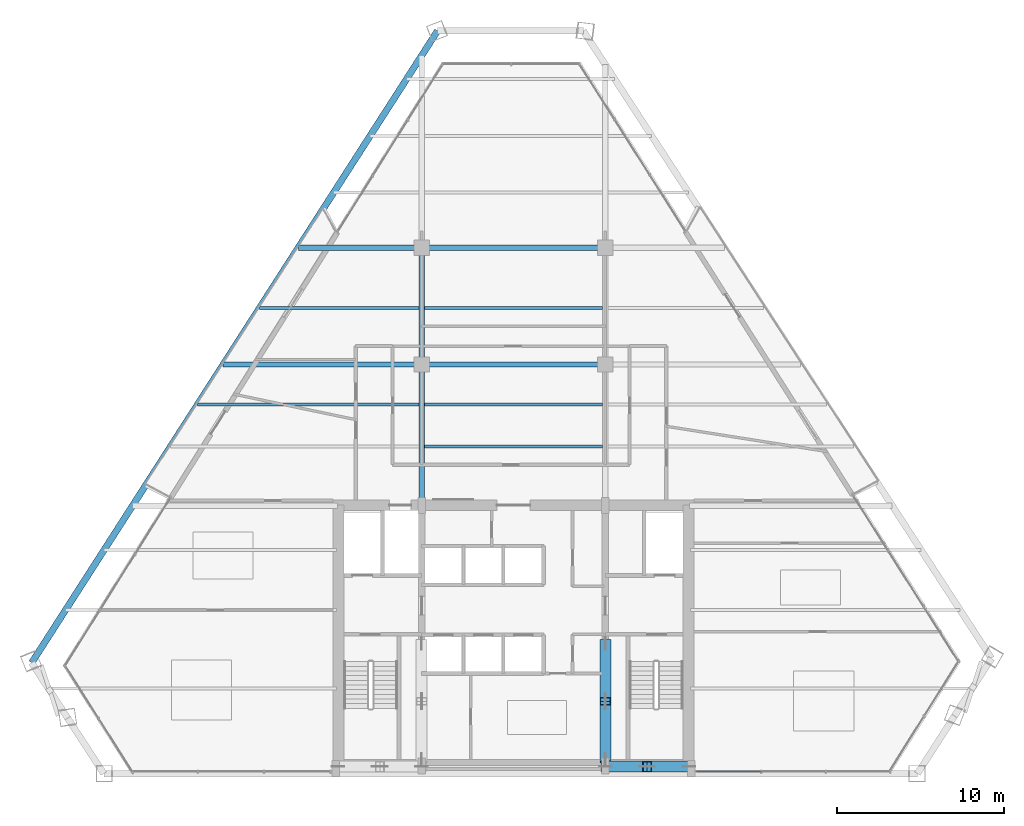
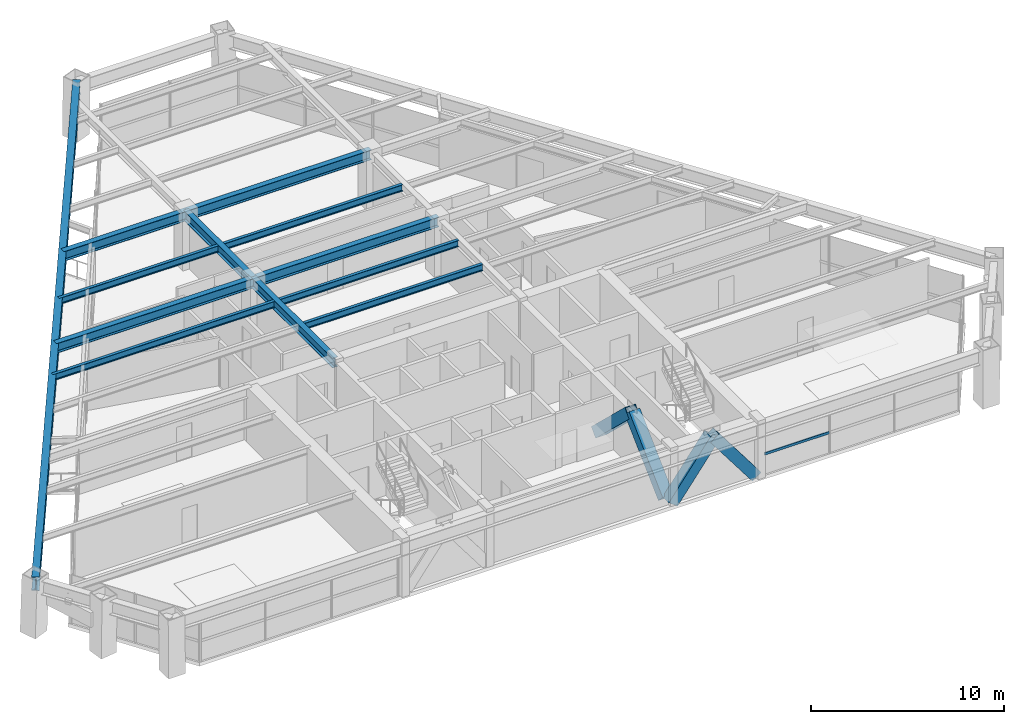
# One storey, part 5 of 15: 12 beams, 5 members, 1 element without a shape of its own.
"""IFC4 building model written with IfcOpenShell, lengths in metres."""

from ifc_helpers import new_model, si_unit, direction, frame, origin, origin_2d, place, context, subcontext, project, spatial, rectangle, hollow_rectangle, i_section, extrude, source, transform, mapped, material, material_profile, profile_set, type_object, type_shapes, element, aggregate, save


model = new_model("IFC4")

# Units and contexts
model_context = context("Model", 3, precision=1e-05, world=origin(), true_north=direction((0.0, 1.0)))
body_context = subcontext(model_context, "Body", "Model", "MODEL_VIEW")
ifc_project = project(units=[si_unit("LENGTHUNIT", "METRE"), si_unit("AREAUNIT", "SQUARE_METRE"), si_unit("VOLUMEUNIT", "CUBIC_METRE"), si_unit("PLANEANGLEUNIT", "RADIAN"), si_unit("MASSUNIT", "GRAM", prefix="KILO")], contexts=[model_context])

# Site, building, storey
site_placement = place(None, origin())
site = spatial("IfcSite", under=ifc_project, at=site_placement, CompositionType="ELEMENT")
building_placement = place(site_placement, origin())
building = spatial("IfcBuilding", under=site, at=building_placement, Name="Varnakhor Terracotta Tower", CompositionType="ELEMENT")
storey_placement = place(building_placement, frame((0.0, 0.0, 174.699951171875)))
storey = spatial("IfcBuildingStorey", under=building, at=storey_placement, Name="L44", CompositionType="ELEMENT", Elevation=174.699951171875)

# Beams
ifc_material_1 = material(Name="Steel S355", Category="steel")
ifc_material_profile_1 = material_profile(ifc_material_1, i_section(OverallWidth=0.324951171875, OverallDepth=0.615966796875, WebThickness=0.013916015625, FlangeThickness=0.02197265625, FilletRadius=0.01806640625, at=origin_2d()), Name="W24X117")
ifc_profile_set_1 = profile_set([ifc_material_profile_1], Name="Steel S355")
beam_type_1 = type_object("IfcBeamType", Name="BM-W24X117", PredefinedType="BEAM", material=ifc_profile_set_1)
shared_shape_1 = source(origin(), body_context, "Body", "SweptSolid", [
    extrude(i_section(OverallWidth=0.324951171875, OverallDepth=0.615966796875, WebThickness=0.013916015625, FlangeThickness=0.02197265625, FilletRadius=0.01806640625, at=origin_2d()), origin(), (0.0, 0.0, 1.0), 8.449951171875),
])
type_shapes(beam_type_1, [shared_shape_1])
beam_1_placement = place(storey_placement, frame((-5.5, 16.050048828125, 3.162109375), z_axis=(0.0, 1.0, 0.0), x_axis=(-1.0, 0.0, 0.0)))
element("IfcBeam", 1, at=beam_1_placement, inside=storey, type_object=beam_type_1, Name="L44 Primary Girder NS1-W", PredefinedType="BEAM", context=body_context, shape_type="MappedRepresentation", body=[
    mapped(shared_shape_1, transform((0.0, 0.0, 0.0), scale=1.0)),
])
shared_shape_2 = source(origin(), body_context, "Body", "SweptSolid", [
    extrude(i_section(OverallWidth=0.324951171875, OverallDepth=0.615966796875, WebThickness=0.013916015625, FlangeThickness=0.02197265625, FilletRadius=0.01806640625, at=origin_2d()), origin(), (0.0, 0.0, 1.0), 7.0),
])
beam_2_placement = place(storey_placement, frame((-5.5, 24.5, 3.162109375), z_axis=(0.0, 1.0, 0.0), x_axis=(-1.0, 0.0, 0.0)))
element("IfcBeam", 2, at=beam_2_placement, inside=storey, type_object=beam_type_1, Name="L44 Primary Girder NS2-W", PredefinedType="BEAM", context=body_context, shape_type="MappedRepresentation", body=[
    mapped(shared_shape_2, transform((0.0, 0.0, 0.0), scale=1.0)),
])
shared_shape_3 = source(origin(), body_context, "Body", "SweptSolid", [
    extrude(i_section(OverallWidth=0.324951171875, OverallDepth=0.615966796875, WebThickness=0.013916015625, FlangeThickness=0.02197265625, FilletRadius=0.01806640625, at=origin_2d()), origin(), (0.0, 0.0, 1.0), 11.0),
])
for number, where, z_axis, x_axis, name in (
    (3, (-5.5, 24.5, 3.162109375), (1.0, 0.0, 0.0), (0.0, 1.0, 0.0), "L44 Primary Girder EW2-2"),
    (4, (-5.5, 31.5, 3.162109375), (1.0, 0.0, 0.0), (0.0, 1.0, 0.0), "L44 Primary Girder EW3-2"),
):
    element("IfcBeam", number, at=place(storey_placement, frame(where, z_axis=z_axis, x_axis=x_axis)), inside=storey, type_object=beam_type_1, Name=name, PredefinedType="BEAM", context=body_context, shape_type="MappedRepresentation", body=[
        mapped(shared_shape_3, transform((0.0, 0.0, 0.0), scale=1.0)),
    ])
ifc_material_profile_2 = material_profile(ifc_material_1, i_section(OverallWidth=0.179931640625, OverallDepth=0.4130859375, WebThickness=0.009765625, FlangeThickness=0.01611328125, FilletRadius=0.01806640625, at=origin_2d()), Name="W16X50")
ifc_profile_set_2 = profile_set([ifc_material_profile_2], Name="Steel S355")
beam_type_2 = type_object("IfcBeamType", Name="JST-W16X50", PredefinedType="JOIST", material=ifc_profile_set_2)
shared_shape_4 = source(origin(), body_context, "Body", "SweptSolid", [
    extrude(i_section(OverallWidth=0.179931640625, OverallDepth=0.4130859375, WebThickness=0.009765625, FlangeThickness=0.01611328125, FilletRadius=0.01806640625, at=origin_2d()), origin(), (0.0, 0.0, 1.0), 10.68310546875),
])
for number, where, z_axis, x_axis, name in (
    (5, (-5.341552734375, 19.60009765625, 3.263427734375), (1.0, 0.0, 0.0), (0.0, 1.0, 0.0), "L44 Composite Floor Joist 4-2"),
    (6, (-5.341552734375, 22.10009765625, 3.263427734375), (1.0, 0.0, 0.0), (0.0, 1.0, 0.0), "L44 Composite Floor Joist 5-2"),
    (7, (-5.341552734375, 27.89990234375, 3.263427734375), (1.0, 0.0, 0.0), (0.0, 1.0, 0.0), "L44 Composite Floor Joist 6-2"),
):
    element("IfcBeam", number, at=place(storey_placement, frame(where, z_axis=z_axis, x_axis=x_axis)), inside=storey, type_object=beam_type_2, Name=name, PredefinedType="JOIST", context=body_context, shape_type="MappedRepresentation", body=[
        mapped(shared_shape_4, transform((0.0, 0.0, 0.0), scale=1.0)),
    ])

# Members
ifc_material_2 = material(Name="Steel S460", Category="steel")
ifc_material_profile_3 = material_profile(ifc_material_2, hollow_rectangle(XDim=0.64990234375, YDim=0.64990234375, WallThickness=0.0400390625, at=origin_2d()), Name="HSS650X650X40")
ifc_profile_set_3 = profile_set([ifc_material_profile_3], Name="Steel S460")
member_type_1 = type_object("IfcMemberType", Name="MBR-MEGA-650", PredefinedType="BRACE", material=ifc_profile_set_3)
shared_shape_5 = source(origin(), body_context, "Body", "SweptSolid", [
    extrude(hollow_rectangle(XDim=0.64990234375, YDim=0.64990234375, WallThickness=0.0400390625, at=origin_2d()), origin(), (0.0, 0.0, 1.0), 4.805908203125),
])
member_1_placement = place(storey_placement, frame((5.5, 0.85009765625, 0.0), z_axis=(0.0, 0.723026776832, 0.69082000549), x_axis=(-1.0, 0.0, 0.0)))
element("IfcMember", 8, at=member_1_placement, inside=storey, type_object=member_type_1, Name="L44 Core Coupled Brace CWEA", PredefinedType="BRACE", context=body_context, shape_type="MappedRepresentation", body=[
    mapped(shared_shape_5, transform((0.0, 0.0, 0.0), scale=1.0)),
])
shared_shape_6 = source(origin(), body_context, "Body", "SweptSolid", [
    extrude(hollow_rectangle(XDim=0.64990234375, YDim=0.64990234375, WallThickness=0.0400390625, at=origin_2d()), origin(), (0.0, 0.0, 1.0), 4.156005859375),
])
for number, where, z_axis, x_axis, name in (
    (9, (5.5, 0.419921875, 0.0), (0.601530923869, 0.0, 0.798849515009), (0.0, 1.0, 0.0), "L44 Core Coupled Brace CSEA"),
    (10, (10.5, 0.419921875, 0.0), (-0.601530923869, 0.0, 0.798849515009), (0.0, -1.0, 0.0), "L44 Core Coupled Brace CSEB"),
):
    element("IfcMember", number, at=place(storey_placement, frame(where, z_axis=z_axis, x_axis=x_axis)), inside=storey, type_object=member_type_1, Name=name, PredefinedType="BRACE", context=body_context, shape_type="MappedRepresentation", body=[
        mapped(shared_shape_6, transform((0.0, 0.0, 0.0), scale=1.0)),
    ])
shared_shape_7 = source(origin(), body_context, "Body", "SweptSolid", [
    extrude(hollow_rectangle(XDim=0.64990234375, YDim=0.64990234375, WallThickness=0.0400390625, at=origin_2d()), origin(), (0.0, 0.0, 1.0), 4.80615234375),
])
member_2_placement = place(storey_placement, frame((5.5, 7.800048828125, 0.0), z_axis=(0.0, -0.723051018573, 0.690794632681), x_axis=(1.0, 0.0, 0.0)))
element("IfcMember", 11, at=member_2_placement, inside=storey, type_object=member_type_1, Name="L44 Core Coupled Brace CWEB", PredefinedType="BRACE", context=body_context, shape_type="MappedRepresentation", body=[
    mapped(shared_shape_7, transform((0.0, 0.0, 0.0), scale=1.0)),
])

# Beams
ifc_material_profile_4 = material_profile(ifc_material_1, i_section(OverallWidth=0.39990234375, OverallDepth=0.85498046875, WebThickness=0.01806640625, FlangeThickness=0.029052734375, FilletRadius=0.01806640625, at=origin_2d()), Name="W33X201")
ifc_profile_set_4 = profile_set([ifc_material_profile_4], Name="Steel S355")
beam_type_3 = type_object("IfcBeamType", Name="BM-W33X201", PredefinedType="BEAM", material=ifc_profile_set_4)
shared_shape_8 = source(origin(), body_context, "Body", "SweptSolid", [
    extrude(i_section(OverallWidth=0.39990234375, OverallDepth=0.85498046875, WebThickness=0.01806640625, FlangeThickness=0.029052734375, FilletRadius=0.01806640625, at=origin_2d()), origin(), (0.0, 0.0, 1.0), 44.983642578125),
])
beam_3_placement = place(storey_placement, frame((-4.546875, 44.48681640625, 3.04248046875), z_axis=(-0.540415213485, -0.841398476962, 0.0), x_axis=(0.841398476962, -0.540415213485, 0.0)))
element("IfcBeam", 12, at=beam_3_placement, inside=storey, type_object=beam_type_3, Name="L44 Perimeter Spandrel 6", PredefinedType="BEAM", context=body_context, shape_type="MappedRepresentation", body=[
    mapped(shared_shape_8, transform((0.0, 0.0, 0.0), scale=1.0)),
])
shared_shape_9 = source(origin(), body_context, "Body", "SweptSolid", [
    extrude(i_section(OverallWidth=0.324951171875, OverallDepth=0.615966796875, WebThickness=0.013916015625, FlangeThickness=0.02197265625, FilletRadius=0.01806640625, at=origin_2d()), origin(), (0.0, 0.0, 1.0), 11.884033203125),
])
beam_4_placement = place(storey_placement, frame((-17.384033203125, 24.5, 3.162109375), z_axis=(1.0, 0.0, 0.0), x_axis=(0.0, 1.0, 0.0)))
element("IfcBeam", 13, at=beam_4_placement, inside=storey, type_object=beam_type_1, Name="L44 Primary Girder EW2-1", PredefinedType="BEAM", context=body_context, shape_type="MappedRepresentation", body=[
    mapped(shared_shape_9, transform((0.0, 0.0, 0.0), scale=1.0)),
])
shared_shape_10 = source(origin(), body_context, "Body", "SweptSolid", [
    extrude(i_section(OverallWidth=0.324951171875, OverallDepth=0.615966796875, WebThickness=0.013916015625, FlangeThickness=0.02197265625, FilletRadius=0.01806640625, at=origin_2d()), origin(), (0.0, 0.0, 1.0), 7.38818359375),
])
beam_5_placement = place(storey_placement, frame((-12.88818359375, 31.5, 3.162109375), z_axis=(1.0, 0.0, 0.0), x_axis=(0.0, 1.0, 0.0)))
element("IfcBeam", 14, at=beam_5_placement, inside=storey, type_object=beam_type_1, Name="L44 Primary Girder EW3-1", PredefinedType="BEAM", context=body_context, shape_type="MappedRepresentation", body=[
    mapped(shared_shape_10, transform((0.0, 0.0, 0.0), scale=1.0)),
])
shared_shape_11 = source(origin(), body_context, "Body", "SweptSolid", [
    extrude(i_section(OverallWidth=0.179931640625, OverallDepth=0.4130859375, WebThickness=0.009765625, FlangeThickness=0.01611328125, FilletRadius=0.01806640625, at=origin_2d()), origin(), (0.0, 0.0, 1.0), 13.26708984375),
])
beam_6_placement = place(storey_placement, frame((-18.925537109375, 22.10009765625, 3.263427734375), z_axis=(1.0, 0.0, 0.0), x_axis=(0.0, 1.0, 0.0)))
element("IfcBeam", 15, at=beam_6_placement, inside=storey, type_object=beam_type_2, Name="L44 Composite Floor Joist 5-1", PredefinedType="JOIST", context=body_context, shape_type="MappedRepresentation", body=[
    mapped(shared_shape_11, transform((0.0, 0.0, 0.0), scale=1.0)),
])
shared_shape_12 = source(origin(), body_context, "Body", "SweptSolid", [
    extrude(i_section(OverallWidth=0.179931640625, OverallDepth=0.4130859375, WebThickness=0.009765625, FlangeThickness=0.01611328125, FilletRadius=0.01806640625, at=origin_2d()), origin(), (0.0, 0.0, 1.0), 9.5419921875),
])
beam_7_placement = place(storey_placement, frame((-15.200439453125, 27.89990234375, 3.263427734375), z_axis=(1.0, 0.0, 0.0), x_axis=(0.0, 1.0, 0.0)))
element("IfcBeam", 16, at=beam_7_placement, inside=storey, type_object=beam_type_2, Name="L44 Composite Floor Joist 6-1", PredefinedType="JOIST", context=body_context, shape_type="MappedRepresentation", body=[
    mapped(shared_shape_12, transform((0.0, 0.0, 0.0), scale=1.0)),
])

# Curtain wall, member
ifc_material_3 = material(Name="Anodised Aluminium Curtain Wall System", Category="aluminium")
curtain_wall_type = type_object("IfcCurtainWallType", Name="CW-SYS-MID-OFFICE", PredefinedType="NOTDEFINED", material=ifc_material_3)
curtain_wall_placement = place(storey_placement, origin())
curtain_wall = element("IfcCurtainWall", 17, at=curtain_wall_placement, inside=storey, type_object=curtain_wall_type, Name="L44 South Wing Curtain Wall SSE", PredefinedType="NOTDEFINED")
ifc_material_4 = material(Name="Anodised Aluminium 6063-T6", Category="aluminium")
ifc_material_profile_5 = material_profile(ifc_material_4, rectangle(XDim=0.070068359375, YDim=0.155029296875, at=origin_2d()), Name="ALU TRANSOM 70x155")
ifc_profile_set_5 = profile_set([ifc_material_profile_5], Name="Anodised Aluminium 6063-T6")
member_type_2 = type_object("IfcMemberType", Name="CWT-03", PredefinedType="USERDEFINED", material=ifc_profile_set_5)
shared_shape_13 = source(origin(), body_context, "Body", "SweptSolid", [
    extrude(rectangle(XDim=0.070068359375, YDim=0.155029296875, at=origin_2d()), origin(), (0.0, 0.0, 1.0), 3.864501953125),
])
member_3_placement = place(storey_placement, frame((14.83447265625, 0.1201171875, 1.281005859375), z_axis=(-1.0, 0.0, 0.0), x_axis=(0.0, -1.0, 0.0)))
member_3 = element("IfcMember", 18, at=member_3_placement, type_object=member_type_2, Name="L44 South Wing Curtain Wall SSE Transom 3", ObjectType="TRANSOM", PredefinedType="USERDEFINED", context=body_context, shape_type="MappedRepresentation", body=[
    mapped(shared_shape_13, transform((0.0, 0.0, 0.0), scale=1.0)),
])
aggregate(curtain_wall, [member_3])

save(model, "model.ifc")
